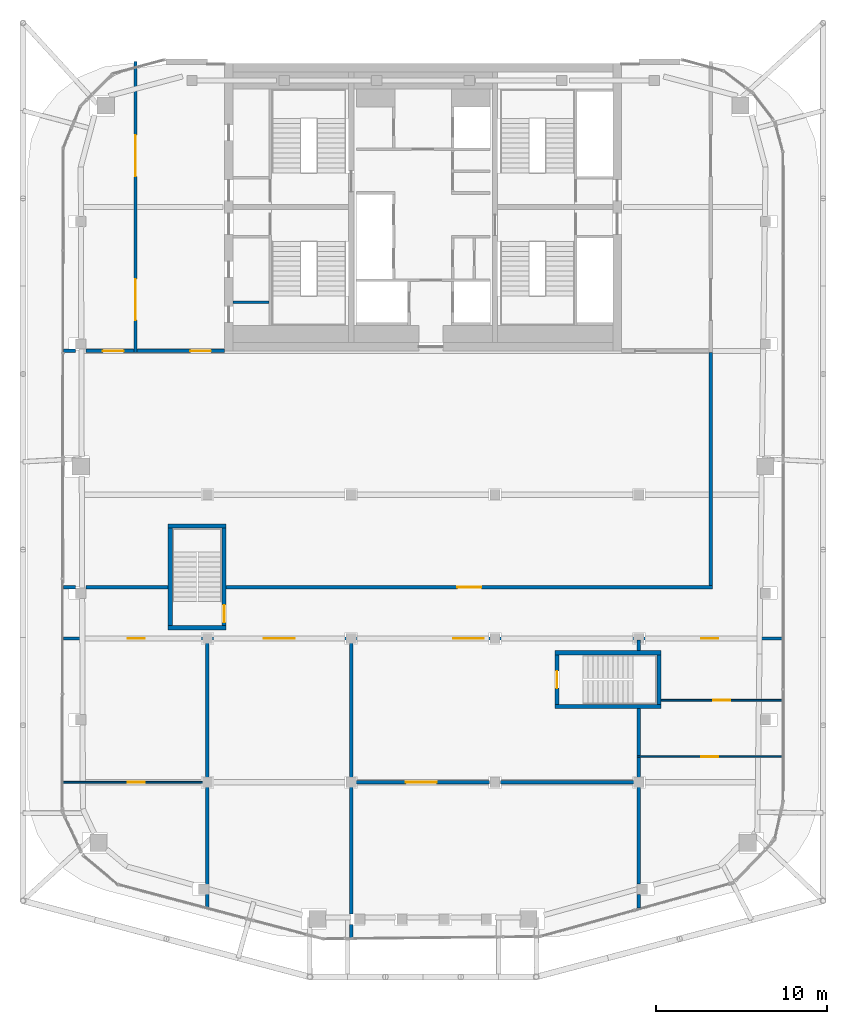
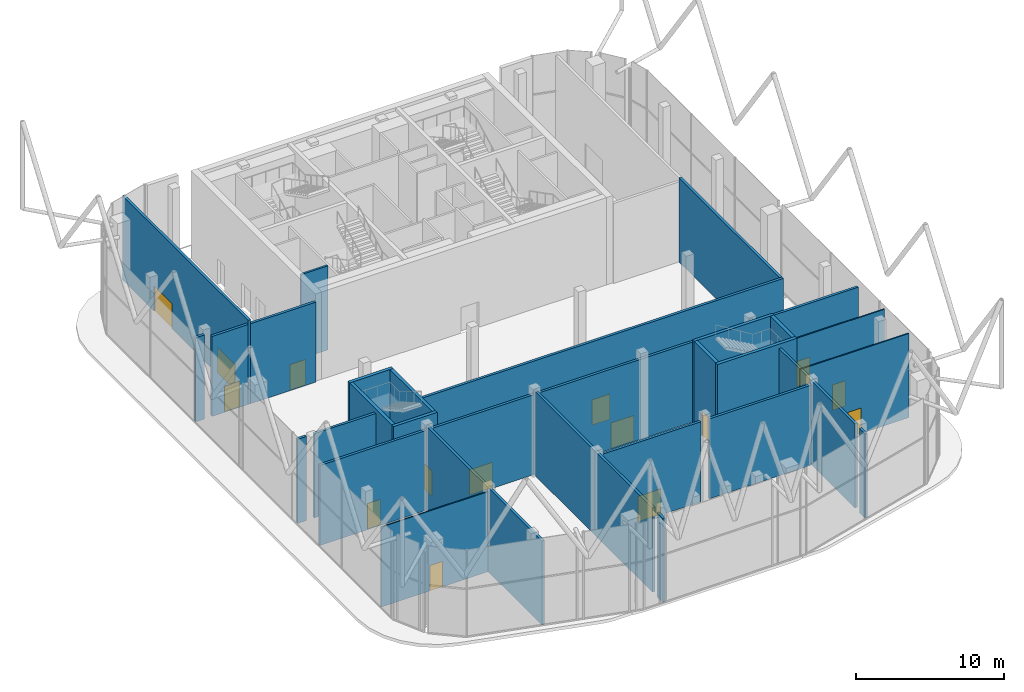
# One storey, part 20 of 25: 29 walls, 15 doors, 15 openings.
"""IFC4 building model written with IfcOpenShell, lengths in metres."""

import ifcopenshell
import ifcopenshell.guid

model = None  # the IFC model being written
_history = None  # IfcOwnerHistory: only IFC2X3 demands one
_inside = {}  # id of a spatial element -> (the spatial element, [elements in it])
_under = {}  # id of a project, library or spatial element -> (it, [spatial elements below it])
_declared = {}  # id of a project -> (the project, [libraries it declares])
_typed = {}  # id of a type object -> (the type object, [elements of that type])
_made_of = {}  # id of a material, layer set ... -> (it, [elements and type objects made of it])


def new_model(schema):
    """Start an empty IFC model of exactly this schema.

    Asked for "IFC4X3", IfcOpenShell would pick the latest addendum, in which some entities
    have other attributes; the version numbers below select the first issue.
    IFC2X3 requires an IfcOwnerHistory on every rooted entity: one is made here for all.
    """
    global model, _history
    if schema == "IFC4X3":
        model = ifcopenshell.file(schema_version=(4, 3, 0, 0))
    else:
        model = ifcopenshell.file(schema=schema)
    _inside.clear()
    _under.clear()
    _declared.clear()
    _typed.clear()
    _made_of.clear()
    _history = None
    if model.schema == "IFC2X3":
        org = make("IfcOrganization", Name="unknown")
        user = make(
            "IfcPersonAndOrganization",
            ThePerson=make("IfcPerson", FamilyName="unknown"),
            TheOrganization=org,
        )
        app = make(
            "IfcApplication",
            ApplicationDeveloper=org,
            Version="unknown",
            ApplicationFullName="unknown",
            ApplicationIdentifier="unknown",
        )
        _history = make(
            "IfcOwnerHistory",
            OwningUser=user,
            OwningApplication=app,
            ChangeAction="ADDED",
            CreationDate=0,
        )
    return model


def make(cls, **values):
    """One entity of the class cls with the attributes given. An attribute that is None is left unset."""
    return model.create_entity(
        cls, **{name: value for name, value in values.items() if value is not None}
    )


def rooted(cls, **values):
    """An entity with a GlobalId (a new one), such as an element, a storey or a relation."""
    return make(cls, GlobalId=ifcopenshell.guid.new(), OwnerHistory=_history, **values)


def si_unit(unit_type, name, prefix=None):
    """IfcSIUnit, for example si_unit("LENGTHUNIT", "METRE", prefix="MILLI")."""
    return make("IfcSIUnit", UnitType=unit_type, Prefix=prefix, Name=name)


def assignment(units):
    """IfcUnitAssignment: the units of a project."""
    return None if units is None else make("IfcUnitAssignment", Units=units)


def point(xyz):
    """IfcCartesianPoint."""
    return None if xyz is None else make("IfcCartesianPoint", Coordinates=xyz)


def direction(xyz):
    """IfcDirection."""
    return None if xyz is None else make("IfcDirection", DirectionRatios=xyz)


def frame(location, z_axis=None, x_axis=None):
    """IfcAxis2Placement3D, a coordinate frame: its origin and axes. An axis left out is left unset."""
    return make(
        "IfcAxis2Placement3D",
        Location=point(location),
        Axis=direction(z_axis),
        RefDirection=direction(x_axis),
    )


def frame_2d(location, x_axis=None):
    """IfcAxis2Placement2D, a coordinate frame in the plane: its origin and x axis."""
    return make(
        "IfcAxis2Placement2D", Location=point(location), RefDirection=direction(x_axis)
    )


def origin():
    """The frame at (0, 0, 0) with its axes left unset."""
    return frame((0.0, 0.0, 0.0))


def place(relative_to, where):
    """IfcLocalPlacement: puts the frame where relative to a parent placement (None: the world)."""
    return make(
        "IfcLocalPlacement", PlacementRelTo=relative_to, RelativePlacement=where
    )


def context(
    kind, dimensions, precision=None, world=None, true_north=None, identifier=None
):
    """IfcGeometricRepresentationContext, for example the 3D "Model" context."""
    return make(
        "IfcGeometricRepresentationContext",
        ContextIdentifier=identifier,
        ContextType=kind,
        CoordinateSpaceDimension=dimensions,
        Precision=precision,
        WorldCoordinateSystem=world,
        TrueNorth=true_north,
    )


def subcontext(parent, identifier, kind, view, scale=None):
    """IfcGeometricRepresentationSubContext, for example "Body" below "Model"."""
    return make(
        "IfcGeometricRepresentationSubContext",
        ContextIdentifier=identifier,
        ContextType=kind,
        ParentContext=parent,
        TargetScale=scale,
        TargetView=view,
    )


def project(units=None, contexts=None):
    """IfcProject with its units and contexts."""
    return rooted(
        "IfcProject",
        Name="project",
        RepresentationContexts=contexts,
        UnitsInContext=assignment(units),
    )


def spatial(cls, under=None, at=None, **own):
    """A site, building, storey or space (cls), placed at a placement, below another one or the project."""
    s = rooted(cls, ObjectPlacement=at, **own)
    if under is not None:
        _under.setdefault(under.id(), (under, []))[1].append(s)
    return s


def profile(cls, at=None, kind="AREA", **sizes):
    """A parametric profile (cls). Its sizes go by their IFC names, for example OverallWidth=200.0."""
    return make(cls, ProfileType=kind, Position=at, **sizes)


def rectangle(**sizes):
    """IfcRectangleProfileDef."""
    return profile("IfcRectangleProfileDef", **sizes)


def extrude(swept, where, along, depth):
    """IfcExtrudedAreaSolid: the profile swept, set in the frame where, extruded along a direction by depth."""
    return make(
        "IfcExtrudedAreaSolid",
        SweptArea=swept,
        Position=where,
        ExtrudedDirection=direction(along),
        Depth=depth,
    )


def shape(context_of_items, identifier, shape_type, items):
    """IfcShapeRepresentation: the items that make up one representation, for example the "Body"."""
    return make(
        "IfcShapeRepresentation",
        ContextOfItems=context_of_items,
        RepresentationIdentifier=identifier,
        RepresentationType=shape_type,
        Items=items,
    )


def material(Name=None, Category=None):
    """IfcMaterial."""
    return make("IfcMaterial", Name=Name, Category=Category)


def layer(
    of_material, thickness, ventilated=None, Name=None, Category=None, Priority=None
):
    """IfcMaterialLayer: one layer of a wall or slab, of a material (None: an air gap)."""
    return make(
        "IfcMaterialLayer",
        Material=of_material,
        LayerThickness=thickness,
        IsVentilated=ventilated,
        Name=Name,
        Category=Category,
        Priority=Priority,
    )


def layer_set(layers, Name=None):
    """IfcMaterialLayerSet."""
    return make("IfcMaterialLayerSet", MaterialLayers=layers, LayerSetName=Name)


def made_of(thing, what):
    """Note that an element or type object is made of a material, layer set ...; save() writes the relation."""
    if what is not None:
        _made_of.setdefault(what.id(), (what, []))[1].append(thing)
    return thing


def type_object(cls, material=None, **own):
    """A type object (cls), such as IfcWallType, which elements share."""
    return made_of(rooted(cls, **own), material)


def element(
    cls,
    number,
    at=None,
    inside=None,
    cuts=None,
    type_object=None,
    material=None,
    context=None,
    identifier="Body",
    shape_type=None,
    held_by="IfcProductDefinitionShape",
    body=None,
    shapes=None,
    **own,
):
    """One element of the class cls, such as IfcWall. Its Tag is "e" and its number.

    at: its placement. inside: the storey or other place that contains it. cuts: it is an
    opening in that element (IfcRelVoidsElement). A single representation is given by context,
    identifier, shape_type and body (its items); several are given by shapes. held_by: the class
    of the entity that holds the representations. save() writes the other relations.
    """
    e = rooted(cls, Tag="e%d" % number, ObjectPlacement=at, **own)
    if body is not None:
        shapes = [shape(context, identifier, shape_type, body)]
    if shapes is not None:
        e.Representation = make(held_by, Representations=shapes)
    if inside is not None:
        _inside.setdefault(inside.id(), (inside, []))[1].append(e)
    if cuts is not None:
        rooted(
            "IfcRelVoidsElement", RelatingBuildingElement=cuts, RelatedOpeningElement=e
        )
    if type_object is not None:
        _typed.setdefault(type_object.id(), (type_object, []))[1].append(e)
    return made_of(e, material)


def fill(opening, filler):
    """IfcRelFillsElement: the door or window that sits in an opening."""
    return rooted(
        "IfcRelFillsElement",
        RelatingOpeningElement=opening,
        RelatedBuildingElement=filler,
    )


def aggregate(whole, parts):
    """IfcRelAggregates: a whole, such as a stair, and the parts it consists of."""
    return rooted("IfcRelAggregates", RelatingObject=whole, RelatedObjects=parts)


def save(model, path):
    """Write the relations noted so far, then the file.

    IfcRelAggregates (storeys below a building ...), IfcRelContainedInSpatialStructure (elements
    in a storey), IfcRelDefinesByType, IfcRelAssociatesMaterial and IfcRelDeclares: one each for
    every whole, place, type object, material and project.
    """
    for whole, parts in _under.values():
        aggregate(whole, parts)
    for where, things in _inside.values():
        rooted(
            "IfcRelContainedInSpatialStructure",
            RelatedElements=things,
            RelatingStructure=where,
        )
    for kind, things in _typed.values():
        rooted("IfcRelDefinesByType", RelatedObjects=things, RelatingType=kind)
    for what, things in _made_of.values():
        rooted("IfcRelAssociatesMaterial", RelatedObjects=things, RelatingMaterial=what)
    for by, libraries in _declared.values():
        rooted("IfcRelDeclares", RelatingContext=by, RelatedDefinitions=libraries)
    model.write(path)


model = new_model("IFC4")

# Units and contexts
model_context = context("Model", 3, precision=1e-05, world=origin(), true_north=direction((0.0, 1.0)))
body_context = subcontext(model_context, "Body", "Model", "MODEL_VIEW")
ifc_project = project(units=[si_unit("LENGTHUNIT", "METRE"), si_unit("AREAUNIT", "SQUARE_METRE"), si_unit("VOLUMEUNIT", "CUBIC_METRE"), si_unit("PLANEANGLEUNIT", "RADIAN"), si_unit("MASSUNIT", "GRAM", prefix="KILO")], contexts=[model_context])

# Site, building, storey
site_placement = place(None, origin())
site = spatial("IfcSite", under=ifc_project, at=site_placement, CompositionType="ELEMENT")
building_placement = place(site_placement, origin())
building = spatial("IfcBuilding", under=site, at=building_placement, Name="Marenta Gate Hotel Tower", CompositionType="ELEMENT")
storey_placement = place(building_placement, frame((0.0, 0.0, 281.300048828125)))
storey = spatial("IfcBuildingStorey", under=building, at=storey_placement, Name="L65", CompositionType="ELEMENT", Elevation=281.300048828125)

# Wall, openings, doors
ifc_material_1 = material(Name="Concrete blockwork", Category="masonry")
ifc_layer_1 = layer(ifc_material_1, 0.199951171875)
ifc_layer_set_1 = layer_set([ifc_layer_1], Name="Concrete blockwork")
wall_type_1 = type_object("IfcWallType", Name="Core boundary wall 200 REI 180", PredefinedType="PARTITIONING", material=ifc_layer_set_1)
wall_1_placement = place(storey_placement, frame((-16.800048828125, -0.10009765625, 0.0), z_axis=(0.0, 0.0, 1.0), x_axis=(0.0, 1.0, 0.0)))
wall_1 = element("IfcWall", 1, at=wall_1_placement, inside=storey, type_object=wall_type_1, Name="L65-CP-BW-W", PredefinedType="PARTITIONING", context=body_context, shape_type="SweptSolid", body=[
    extrude(rectangle(XDim=17.0, YDim=0.199951171875, at=frame_2d((8.5, 0.0))), origin(), (0.0, 0.0, 1.0), 6.93994140625),
])
opening_1_placement = place(wall_1_placement, frame((1.89990234375, 0.0, 0.0)))
opening_1 = element("IfcOpeningElement", 2, at=opening_1_placement, cuts=wall_1, Name="Opening ED-Wa-A", PredefinedType="OPENING", context=body_context, shape_type="SweptSolid", body=[
    extrude(rectangle(XDim=2.39990234375, YDim=2.10009765625, at=frame_2d((1.199951171875, 1.050048828125))), frame((0.0, 0.10009765625, 0.0), z_axis=(0.0, -1.0, 0.0), x_axis=(1.0, 0.0, 0.0)), (0.0, 0.0, 1.0), 0.199951171875),
])
opening_2_placement = place(wall_1_placement, frame((10.300048828125, 0.0, 0.0)))
opening_2 = element("IfcOpeningElement", 3, at=opening_2_placement, cuts=wall_1, Name="Opening ED-Wb-A", PredefinedType="OPENING", context=body_context, shape_type="SweptSolid", body=[
    extrude(rectangle(XDim=2.39990234375, YDim=2.10009765625, at=frame_2d((1.199951171875, 1.050048828125))), frame((0.0, 0.10009765625, 0.0), z_axis=(0.0, -1.0, 0.0), x_axis=(1.0, 0.0, 0.0)), (0.0, 0.0, 1.0), 0.199951171875),
])
ifc_material_2 = material(Name="Steel", Category="steel")
door_type_1 = type_object("IfcDoorType", Name="Core lobby entrance door 2400x2100 EI 60", OperationType="DOUBLE_DOOR_SINGLE_SWING", PredefinedType="DOOR", material=ifc_material_2)
door_1_placement = place(opening_1_placement, origin())
door_1 = element("IfcDoor", 4, at=door_1_placement, inside=storey, type_object=door_type_1, Name="ED-Wa-A", OperationType="DOUBLE_DOOR_SINGLE_SWING", OverallHeight=2.10009765625, OverallWidth=2.39990234375, PredefinedType="DOOR", context=body_context, shape_type="SweptSolid", body=[
    extrude(rectangle(XDim=2.39990234375, YDim=2.10009765625, at=frame_2d((1.199951171875, 1.050048828125))), frame((0.0, 0.02490234375, 0.0), z_axis=(0.0, -1.0, 0.0), x_axis=(1.0, 0.0, 0.0)), (0.0, 0.0, 1.0), 0.050048828125),
])
fill(opening_1, door_1)
door_2_placement = place(opening_2_placement, origin())
door_2 = element("IfcDoor", 5, at=door_2_placement, inside=storey, type_object=door_type_1, Name="ED-Wb-A", OperationType="DOUBLE_DOOR_SINGLE_SWING", OverallHeight=2.10009765625, OverallWidth=2.39990234375, PredefinedType="DOOR", context=body_context, shape_type="SweptSolid", body=[
    extrude(rectangle(XDim=2.39990234375, YDim=2.10009765625, at=frame_2d((1.199951171875, 1.050048828125))), frame((0.0, 0.02490234375, 0.0), z_axis=(0.0, -1.0, 0.0), x_axis=(1.0, 0.0, 0.0)), (0.0, 0.0, 1.0), 0.050048828125),
])
fill(opening_2, door_2)

# Wall, opening, door
wall_2_placement = place(storey_placement, frame((-16.699951171875, 0.0, 0.0), z_axis=(0.0, 0.0, 1.0), x_axis=(1.0, 0.0, 0.0)))
wall_2 = element("IfcWall", 6, at=wall_2_placement, inside=storey, type_object=wall_type_1, Name="L65-CP-EW-WS", PredefinedType="PARTITIONING", context=body_context, shape_type="SweptSolid", body=[
    extrude(rectangle(XDim=5.099853515625, YDim=0.199951171875, at=frame_2d((2.5498046875, 0.0))), origin(), (0.0, 0.0, 1.0), 6.599853515625),
])
opening_3_placement = place(wall_2_placement, frame((3.10009765625, 0.0, 0.0)))
opening_3 = element("IfcOpeningElement", 7, at=opening_3_placement, cuts=wall_2, Name="Opening RFD-WS", PredefinedType="OPENING", context=body_context, shape_type="SweptSolid", body=[
    extrude(rectangle(XDim=1.199951171875, YDim=2.10009765625, at=frame_2d((0.60009765625, 1.050048828125))), frame((0.0, 0.10009765625, 0.0), z_axis=(0.0, -1.0, 0.0), x_axis=(1.0, 0.0, 0.0)), (0.0, 0.0, 1.0), 0.199951171875),
])
ifc_material_3 = material(Name="Steel", Category="steel")
door_type_2 = type_object("IfcDoorType", Name="Core lobby door 1200x2100 FD60", OperationType="SINGLE_SWING_LEFT", PredefinedType="DOOR", material=ifc_material_3)
door_3_placement = place(opening_3_placement, origin())
door_3 = element("IfcDoor", 8, at=door_3_placement, inside=storey, type_object=door_type_2, Name="RFD-WS", OperationType="SINGLE_SWING_LEFT", OverallHeight=2.10009765625, OverallWidth=1.199951171875, PredefinedType="DOOR", context=body_context, shape_type="SweptSolid", body=[
    extrude(rectangle(XDim=1.199951171875, YDim=2.10009765625, at=frame_2d((0.60009765625, 1.050048828125))), frame((0.0, 0.02490234375, 0.0), z_axis=(0.0, -1.0, 0.0), x_axis=(1.0, 0.0, 0.0)), (0.0, 0.0, 1.0), 0.050048828125),
])
fill(opening_3, door_3)

# Walls
ifc_material_4 = material(Name="Concrete blockwork", Category="masonry")
ifc_layer_2 = layer(ifc_material_4, 0.14990234375)
ifc_layer_set_2 = layer_set([ifc_layer_2], Name="Concrete blockwork")
wall_type_2 = type_object("IfcWallType", Name="Core room partition 150 REI 180", PredefinedType="PARTITIONING", material=ifc_layer_set_2)
wall_3_placement = place(storey_placement, frame((-11.10009765625, 2.85009765625, 0.0), z_axis=(0.0, 0.0, 1.0), x_axis=(1.0, 0.0, 0.0)))
element("IfcWall", 9, at=wall_3_placement, inside=storey, type_object=wall_type_2, Name="L65-CP-RW-WS-1", PredefinedType="PARTITIONING", context=body_context, shape_type="SweptSolid", body=[
    extrude(rectangle(XDim=2.10009765625, YDim=0.14990234375, at=frame_2d((1.050048828125, 0.0))), origin(), (0.0, 0.0, 1.0), 6.93994140625),
])
ifc_material_5 = material(Name="Concrete C40", Category="concrete")
ifc_layer_3 = layer(ifc_material_5, 0.25)
ifc_layer_set_3 = layer_set([ifc_layer_3], Name="Concrete C40")
wall_type_3 = type_object("IfcWallType", Name="Remote stair enclosure wall 250 REI 180", PredefinedType="SHEAR", material=ifc_layer_set_3)
for number, where, z_axis, x_axis, name in (
    (10, (7.699951171875, -20.77490234375, 0.099853515625), (0.0, 0.0, 1.0), (1.0, 0.0, 0.0), "L65-RS-Z4-1-W1"),
    (11, (7.699951171875, -17.625, 0.099853515625), (0.0, 0.0, 1.0), (1.0, 0.0, 0.0), "L65-RS-Z4-1-W2"),
):
    element("IfcWall", number, at=place(storey_placement, frame(where, z_axis=z_axis, x_axis=x_axis)), inside=storey, type_object=wall_type_3, Name=name, PredefinedType="SHEAR", context=body_context, shape_type="SweptSolid", body=[
        extrude(rectangle(XDim=6.199951171875, YDim=0.25, at=frame_2d((3.10009765625, 0.0))), origin(), (0.0, 0.0, 1.0), 7.2001953125),
    ])

# Wall, opening, door
wall_4_placement = place(storey_placement, frame((7.824951171875, -20.64990234375, 0.099853515625), z_axis=(0.0, 0.0, 1.0), x_axis=(0.0, 1.0, 0.0)))
wall_4 = element("IfcWall", 12, at=wall_4_placement, inside=storey, type_object=wall_type_3, Name="L65-RS-Z4-1-W3", PredefinedType="SHEAR", context=body_context, shape_type="SweptSolid", body=[
    extrude(rectangle(XDim=2.89990234375, YDim=0.25, at=frame_2d((1.449951171875, 0.0))), origin(), (0.0, 0.0, 1.0), 7.2001953125),
])
opening_4_placement = place(wall_4_placement, frame((0.949951171875, 0.0, 0.0)))
opening_4 = element("IfcOpeningElement", 13, at=opening_4_placement, cuts=wall_4, Name="Opening VD", PredefinedType="OPENING", context=body_context, shape_type="SweptSolid", body=[
    extrude(rectangle(XDim=1.0, YDim=2.10009765625, at=frame_2d((0.5, 1.050048828125))), frame((0.0, 0.125, 0.0), z_axis=(0.0, -1.0, 0.0), x_axis=(1.0, 0.0, 0.0)), (0.0, 0.0, 1.0), 0.25),
])
ifc_material_6 = material(Name="Steel", Category="steel")
door_type_3 = type_object("IfcDoorType", Name="Stair vestibule door 1000x2100 FD60", OperationType="SINGLE_SWING_LEFT", PredefinedType="DOOR", material=ifc_material_6)
door_4_placement = place(opening_4_placement, origin())
door_4 = element("IfcDoor", 14, at=door_4_placement, inside=storey, type_object=door_type_3, Name="VD", OperationType="SINGLE_SWING_LEFT", OverallHeight=2.10009765625, OverallWidth=1.0, PredefinedType="DOOR", context=body_context, shape_type="SweptSolid", body=[
    extrude(rectangle(XDim=1.0, YDim=2.10009765625, at=frame_2d((0.5, 1.050048828125))), frame((0.0, 0.02490234375, 0.0), z_axis=(0.0, -1.0, 0.0), x_axis=(1.0, 0.0, 0.0)), (0.0, 0.0, 1.0), 0.050048828125),
])
fill(opening_4, door_4)

# Walls
wall_5_placement = place(storey_placement, frame((13.77490234375, -20.64990234375, 0.099853515625), z_axis=(0.0, 0.0, 1.0), x_axis=(0.0, 1.0, 0.0)))
element("IfcWall", 15, at=wall_5_placement, inside=storey, type_object=wall_type_3, Name="L65-RS-Z4-1-W4", PredefinedType="SHEAR", context=body_context, shape_type="SweptSolid", body=[
    extrude(rectangle(XDim=2.89990234375, YDim=0.25, at=frame_2d((1.449951171875, 0.0))), origin(), (0.0, 0.0, 1.0), 7.2001953125),
])
for number, where, z_axis, x_axis, name in (
    (16, (-14.89990234375, -16.175048828125, 0.099853515625), (0.0, 0.0, 1.0), (1.0, 0.0, 0.0), "L65-RS-Z4-2-W1"),
    (17, (-14.89990234375, -10.22509765625, 0.099853515625), (0.0, 0.0, 1.0), (1.0, 0.0, 0.0), "L65-RS-Z4-2-W2"),
):
    element("IfcWall", number, at=place(storey_placement, frame(where, z_axis=z_axis, x_axis=x_axis)), inside=storey, type_object=wall_type_3, Name=name, PredefinedType="SHEAR", context=body_context, shape_type="SweptSolid", body=[
        extrude(rectangle(XDim=3.39990234375, YDim=0.25, at=frame_2d((1.699951171875, 0.0))), origin(), (0.0, 0.0, 1.0), 7.2001953125),
    ])
wall_6_placement = place(storey_placement, frame((-14.77490234375, -16.050048828125, 0.099853515625), z_axis=(0.0, 0.0, 1.0), x_axis=(0.0, 1.0, 0.0)))
element("IfcWall", 18, at=wall_6_placement, inside=storey, type_object=wall_type_3, Name="L65-RS-Z4-2-W3", PredefinedType="SHEAR", context=body_context, shape_type="SweptSolid", body=[
    extrude(rectangle(XDim=5.699951171875, YDim=0.25, at=frame_2d((2.85009765625, 0.0))), origin(), (0.0, 0.0, 1.0), 7.2001953125),
])

# Wall, opening, door
wall_7_placement = place(storey_placement, frame((-11.625, -16.050048828125, 0.099853515625), z_axis=(0.0, 0.0, 1.0), x_axis=(0.0, 1.0, 0.0)))
wall_7 = element("IfcWall", 19, at=wall_7_placement, inside=storey, type_object=wall_type_3, Name="L65-RS-Z4-2-W4", PredefinedType="SHEAR", context=body_context, shape_type="SweptSolid", body=[
    extrude(rectangle(XDim=5.699951171875, YDim=0.25, at=frame_2d((2.85009765625, 0.0))), origin(), (0.0, 0.0, 1.0), 7.2001953125),
])
opening_5_placement = place(wall_7_placement, frame((0.199951171875, 0.0, 0.0)))
opening_5 = element("IfcOpeningElement", 20, at=opening_5_placement, cuts=wall_7, Name="Opening VD", PredefinedType="OPENING", context=body_context, shape_type="SweptSolid", body=[
    extrude(rectangle(XDim=1.0, YDim=2.10009765625, at=frame_2d((0.5, 1.050048828125))), frame((0.0, 0.125, 0.0), z_axis=(0.0, -1.0, 0.0), x_axis=(1.0, 0.0, 0.0)), (0.0, 0.0, 1.0), 0.25),
])
door_5_placement = place(opening_5_placement, origin())
door_5 = element("IfcDoor", 21, at=door_5_placement, inside=storey, type_object=door_type_3, Name="VD", OperationType="SINGLE_SWING_LEFT", OverallHeight=2.10009765625, OverallWidth=1.0, PredefinedType="DOOR", context=body_context, shape_type="SweptSolid", body=[
    extrude(rectangle(XDim=1.0, YDim=2.10009765625, at=frame_2d((0.5, 1.050048828125))), frame((0.0, 0.02490234375, 0.0), z_axis=(0.0, -1.0, 0.0), x_axis=(1.0, 0.0, 0.0)), (0.0, 0.0, 1.0), 0.050048828125),
])
fill(opening_5, door_5)

# Wall, openings, doors
ifc_material_7 = material(Name="Gypsum board on steel stud", Category="steel")
ifc_layer_4 = layer(ifc_material_7, 0.199951171875)
ifc_layer_set_4 = layer_set([ifc_layer_4], Name="Gypsum board on steel stud")
wall_type_4 = type_object("IfcWallType", Name="Room corridor wall 200 EI 60", PredefinedType="PARTITIONING", material=ifc_layer_set_4)
wall_8_placement = place(storey_placement, frame((-21.0, -16.800048828125, 0.0), z_axis=(0.0, 0.0, 1.0), x_axis=(1.0, 0.0, 0.0)))
wall_8 = element("IfcWall", 22, at=wall_8_placement, inside=storey, type_object=wall_type_4, Name="L65-PTN-W007", PredefinedType="PARTITIONING", context=body_context, shape_type="SweptSolid", body=[
    extrude(rectangle(XDim=42.0, YDim=0.199951171875, at=frame_2d((21.0, 0.0))), origin(), (0.0, 0.0, 1.0), 6.599853515625),
])
opening_6_placement = place(wall_8_placement, frame((3.75, 0.0, 0.0)))
opening_6 = element("IfcOpeningElement", 23, at=opening_6_placement, cuts=wall_8, Name="Opening S12-03", PredefinedType="OPENING", context=body_context, shape_type="SweptSolid", body=[
    extrude(rectangle(XDim=1.0, YDim=2.10009765625, at=frame_2d((0.5, 1.050048828125))), frame((0.0, 0.10009765625, 0.0), z_axis=(0.0, -1.0, 0.0), x_axis=(1.0, 0.0, 0.0)), (0.0, 0.0, 1.0), 0.199951171875),
])
opening_7_placement = place(wall_8_placement, frame((11.699951171875, 0.0, 0.0)))
opening_7 = element("IfcOpeningElement", 24, at=opening_7_placement, cuts=wall_8, Name="Opening S12-05", PredefinedType="OPENING", context=body_context, shape_type="SweptSolid", body=[
    extrude(rectangle(XDim=1.800048828125, YDim=2.10009765625, at=frame_2d((0.89990234375, 1.050048828125))), frame((0.0, 0.10009765625, 0.0), z_axis=(0.0, -1.0, 0.0), x_axis=(1.0, 0.0, 0.0)), (0.0, 0.0, 1.0), 0.199951171875),
])
opening_8_placement = place(wall_8_placement, frame((22.75, 0.0, 0.0)))
opening_8 = element("IfcOpeningElement", 25, at=opening_8_placement, cuts=wall_8, Name="Opening S12-06", PredefinedType="OPENING", context=body_context, shape_type="SweptSolid", body=[
    extrude(rectangle(XDim=1.800048828125, YDim=2.10009765625, at=frame_2d((0.89990234375, 1.050048828125))), frame((0.0, 0.10009765625, 0.0), z_axis=(0.0, -1.0, 0.0), x_axis=(1.0, 0.0, 0.0)), (0.0, 0.0, 1.0), 0.199951171875),
])
opening_9_placement = place(wall_8_placement, frame((37.25, 0.0, 0.0)))
opening_9 = element("IfcOpeningElement", 26, at=opening_9_placement, cuts=wall_8, Name="Opening S12-07", PredefinedType="OPENING", context=body_context, shape_type="SweptSolid", body=[
    extrude(rectangle(XDim=1.0, YDim=2.10009765625, at=frame_2d((0.5, 1.050048828125))), frame((0.0, 0.10009765625, 0.0), z_axis=(0.0, -1.0, 0.0), x_axis=(1.0, 0.0, 0.0)), (0.0, 0.0, 1.0), 0.199951171875),
])
ifc_material_8 = material(Name="Timber door leaf", Category="wood")
door_type_4 = type_object("IfcDoorType", Name="Room amenity door 1000x2100 EI 30", OperationType="NOTDEFINED", PredefinedType="DOOR", material=ifc_material_8)
door_6_placement = place(opening_6_placement, origin())
door_6 = element("IfcDoor", 27, at=door_6_placement, inside=storey, type_object=door_type_4, Name="L65-PD-D003", OperationType="SINGLE_SWING_LEFT", OverallHeight=2.10009765625, OverallWidth=1.0, PredefinedType="DOOR", context=body_context, shape_type="SweptSolid", body=[
    extrude(rectangle(XDim=1.0, YDim=2.10009765625, at=frame_2d((0.5, 1.050048828125))), frame((0.0, 0.02490234375, 0.0), z_axis=(0.0, -1.0, 0.0), x_axis=(1.0, 0.0, 0.0)), (0.0, 0.0, 1.0), 0.050048828125),
])
fill(opening_6, door_6)
ifc_material_9 = material(Name="Timber door leaf", Category="wood")
door_type_5 = type_object("IfcDoorType", Name="Room amenity door 1800x2100 EI 30", OperationType="DOUBLE_DOOR_SINGLE_SWING", PredefinedType="DOOR", material=ifc_material_9)
door_7_placement = place(opening_7_placement, origin())
door_7 = element("IfcDoor", 28, at=door_7_placement, inside=storey, type_object=door_type_5, Name="L65-PD-D005", OperationType="DOUBLE_DOOR_SINGLE_SWING", OverallHeight=2.10009765625, OverallWidth=1.800048828125, PredefinedType="DOOR", context=body_context, shape_type="SweptSolid", body=[
    extrude(rectangle(XDim=1.800048828125, YDim=2.10009765625, at=frame_2d((0.89990234375, 1.050048828125))), frame((0.0, 0.02490234375, 0.0), z_axis=(0.0, -1.0, 0.0), x_axis=(1.0, 0.0, 0.0)), (0.0, 0.0, 1.0), 0.050048828125),
])
fill(opening_7, door_7)
door_8_placement = place(opening_8_placement, origin())
door_8 = element("IfcDoor", 29, at=door_8_placement, inside=storey, type_object=door_type_5, Name="L65-PD-D006", OperationType="DOUBLE_DOOR_SINGLE_SWING", OverallHeight=2.10009765625, OverallWidth=1.800048828125, PredefinedType="DOOR", context=body_context, shape_type="SweptSolid", body=[
    extrude(rectangle(XDim=1.800048828125, YDim=2.10009765625, at=frame_2d((0.89990234375, 1.050048828125))), frame((0.0, 0.02490234375, 0.0), z_axis=(0.0, -1.0, 0.0), x_axis=(1.0, 0.0, 0.0)), (0.0, 0.0, 1.0), 0.050048828125),
])
fill(opening_8, door_8)
ifc_material_10 = material(Name="Timber door leaf", Category="wood")
door_type_6 = type_object("IfcDoorType", Name="Toilet room door 1000x2100 EI 30", OperationType="NOTDEFINED", PredefinedType="DOOR", material=ifc_material_10)
door_9_placement = place(opening_9_placement, origin())
door_9 = element("IfcDoor", 30, at=door_9_placement, inside=storey, type_object=door_type_6, Name="L65-PD-D007", OperationType="SINGLE_SWING_LEFT", OverallHeight=2.10009765625, OverallWidth=1.0, PredefinedType="DOOR", context=body_context, shape_type="SweptSolid", body=[
    extrude(rectangle(XDim=1.0, YDim=2.10009765625, at=frame_2d((0.5, 1.050048828125))), frame((0.0, 0.02490234375, 0.0), z_axis=(0.0, -1.0, 0.0), x_axis=(1.0, 0.0, 0.0)), (0.0, 0.0, 1.0), 0.050048828125),
])
fill(opening_9, door_9)

# Walls
ifc_material_11 = material(Name="Concrete blockwork", Category="masonry")
ifc_layer_5 = layer(ifc_material_11, 0.199951171875)
ifc_layer_set_5 = layer_set([ifc_layer_5], Name="Concrete blockwork")
wall_type_5 = type_object("IfcWallType", Name="Room corridor wall 200 REI 180", PredefinedType="PARTITIONING", material=ifc_layer_set_5)
wall_9_placement = place(storey_placement, frame((16.800048828125, -13.699951171875, 0.0), z_axis=(0.0, 0.0, 1.0), x_axis=(0.0, 1.0, 0.0)))
element("IfcWall", 31, at=wall_9_placement, inside=storey, type_object=wall_type_5, Name="L65-PTN-W006", PredefinedType="PARTITIONING", context=body_context, shape_type="SweptSolid", body=[
    extrude(rectangle(XDim=13.599853515625, YDim=0.199951171875, at=frame_2d((6.7998046875, 0.0))), origin(), (0.0, 0.0, 1.0), 6.93994140625),
])
wall_10_placement = place(storey_placement, frame((-21.0, -13.800048828125, 0.0), z_axis=(0.0, 0.0, 1.0), x_axis=(1.0, 0.0, 0.0)))
element("IfcWall", 32, at=wall_10_placement, inside=storey, type_object=wall_type_5, Name="L65-PTN-W008", PredefinedType="PARTITIONING", context=body_context, shape_type="SweptSolid", body=[
    extrude(rectangle(XDim=0.699951171875, YDim=0.199951171875, at=frame_2d((0.35009765625, 0.0))), origin(), (0.0, 0.0, 1.0), 6.93994140625),
])
wall_11_placement = place(storey_placement, frame((-19.699951171875, -13.800048828125, 0.0), z_axis=(0.0, 0.0, 1.0), x_axis=(1.0, 0.0, 0.0)))
element("IfcWall", 33, at=wall_11_placement, inside=storey, type_object=wall_type_5, Name="L65-PTN-W009", PredefinedType="PARTITIONING", context=body_context, shape_type="SweptSolid", body=[
    extrude(rectangle(XDim=4.800048828125, YDim=0.199951171875, at=frame_2d((2.39990234375, 0.0))), origin(), (0.0, 0.0, 1.0), 6.93994140625),
])

# Wall, opening, door
wall_12_placement = place(storey_placement, frame((-11.5, -13.800048828125, 0.0), z_axis=(0.0, 0.0, 1.0), x_axis=(1.0, 0.0, 0.0)))
wall_12 = element("IfcWall", 34, at=wall_12_placement, inside=storey, type_object=wall_type_5, Name="L65-PTN-W010", PredefinedType="PARTITIONING", context=body_context, shape_type="SweptSolid", body=[
    extrude(rectangle(XDim=28.39990234375, YDim=0.199951171875, at=frame_2d((14.199951171875, 0.0))), origin(), (0.0, 0.0, 1.0), 6.93994140625),
])
opening_10_placement = place(wall_12_placement, frame((13.5, 0.0, 0.0)))
opening_10 = element("IfcOpeningElement", 35, at=opening_10_placement, cuts=wall_12, Name="Opening S12-01", PredefinedType="OPENING", context=body_context, shape_type="SweptSolid", body=[
    extrude(rectangle(XDim=1.39990234375, YDim=2.10009765625, at=frame_2d((0.699951171875, 1.050048828125))), frame((0.0, 0.10009765625, 0.0), z_axis=(0.0, -1.0, 0.0), x_axis=(1.0, 0.0, 0.0)), (0.0, 0.0, 1.0), 0.199951171875),
])
ifc_material_12 = material(Name="Timber door leaf", Category="wood")
door_type_7 = type_object("IfcDoorType", Name="Room amenity door 1400x2100 EI 60", OperationType="DOUBLE_DOOR_SINGLE_SWING", PredefinedType="DOOR", material=ifc_material_12)
door_10_placement = place(opening_10_placement, origin())
door_10 = element("IfcDoor", 36, at=door_10_placement, inside=storey, type_object=door_type_7, Name="L65-PD-D001", OperationType="DOUBLE_DOOR_SINGLE_SWING", OverallHeight=2.10009765625, OverallWidth=1.39990234375, PredefinedType="DOOR", context=body_context, shape_type="SweptSolid", body=[
    extrude(rectangle(XDim=1.39990234375, YDim=2.10009765625, at=frame_2d((0.699951171875, 1.050048828125))), frame((0.0, 0.02490234375, 0.0), z_axis=(0.0, -1.0, 0.0), x_axis=(1.0, 0.0, 0.0)), (0.0, 0.0, 1.0), 0.050048828125),
])
fill(opening_10, door_10)

# Wall
wall_13_placement = place(storey_placement, frame((-21.0, 0.0, 0.0), z_axis=(0.0, 0.0, 1.0), x_axis=(1.0, 0.0, 0.0)))
element("IfcWall", 37, at=wall_13_placement, inside=storey, type_object=wall_type_5, Name="L65-PTN-W014", PredefinedType="PARTITIONING", context=body_context, shape_type="SweptSolid", body=[
    extrude(rectangle(XDim=0.699951171875, YDim=0.199951171875, at=frame_2d((0.35009765625, 0.0))), origin(), (0.0, 0.0, 1.0), 6.93994140625),
])

# Wall, opening, door
wall_14_placement = place(storey_placement, frame((-19.699951171875, 0.0, 0.0), z_axis=(0.0, 0.0, 1.0), x_axis=(1.0, 0.0, 0.0)))
wall_14 = element("IfcWall", 38, at=wall_14_placement, inside=storey, type_object=wall_type_5, Name="L65-PTN-W015", PredefinedType="PARTITIONING", context=body_context, shape_type="SweptSolid", body=[
    extrude(rectangle(XDim=2.800048828125, YDim=0.199951171875, at=frame_2d((1.39990234375, 0.0))), origin(), (0.0, 0.0, 1.0), 6.599853515625),
])
opening_11_placement = place(wall_14_placement, frame((1.0, 0.0, 0.0)))
opening_11 = element("IfcOpeningElement", 39, at=opening_11_placement, cuts=wall_14, Name="Opening S12-02", PredefinedType="OPENING", context=body_context, shape_type="SweptSolid", body=[
    extrude(rectangle(XDim=1.199951171875, YDim=2.10009765625, at=frame_2d((0.60009765625, 1.050048828125))), frame((0.0, 0.10009765625, 0.0), z_axis=(0.0, -1.0, 0.0), x_axis=(1.0, 0.0, 0.0)), (0.0, 0.0, 1.0), 0.199951171875),
])
ifc_material_13 = material(Name="Timber door leaf", Category="wood")
door_type_8 = type_object("IfcDoorType", Name="Room amenity door 1200x2100 EI 60", OperationType="NOTDEFINED", PredefinedType="DOOR", material=ifc_material_13)
door_11_placement = place(opening_11_placement, origin())
door_11 = element("IfcDoor", 40, at=door_11_placement, inside=storey, type_object=door_type_8, Name="L65-PD-D002", OperationType="SINGLE_SWING_LEFT", OverallHeight=2.10009765625, OverallWidth=1.199951171875, PredefinedType="DOOR", context=body_context, shape_type="SweptSolid", body=[
    extrude(rectangle(XDim=1.199951171875, YDim=2.10009765625, at=frame_2d((0.60009765625, 1.050048828125))), frame((0.0, 0.02490234375, 0.0), z_axis=(0.0, -1.0, 0.0), x_axis=(1.0, 0.0, 0.0)), (0.0, 0.0, 1.0), 0.050048828125),
])
fill(opening_11, door_11)

ifc_material_14 = material(Name="Gypsum board on steel stud", Category="steel")
ifc_layer_6 = layer(ifc_material_14, 0.10009765625)
ifc_layer_set_6 = layer_set([ifc_layer_6], Name="Gypsum board on steel stud")
wall_type_6 = type_object("IfcWallType", Name="Room partition 100", PredefinedType="PARTITIONING", material=ifc_layer_set_6)
wall_15_placement = place(storey_placement, frame((-21.050048828125, -25.199951171875, 0.0), z_axis=(0.0, 0.0, 1.0), x_axis=(1.0, 0.0, 0.0)))
wall_15 = element("IfcWall", 41, at=wall_15_placement, inside=storey, type_object=wall_type_6, Name="L65-PTN-W001", PredefinedType="PARTITIONING", context=body_context, shape_type="SweptSolid", body=[
    extrude(rectangle(XDim=8.550048828125, YDim=0.10009765625, at=frame_2d((4.27490234375, 0.0))), origin(), (0.0, 0.0, 1.0), 6.599853515625),
])
opening_12_placement = place(wall_15_placement, frame((3.800048828125, 0.0, 0.0)))
opening_12 = element("IfcOpeningElement", 42, at=opening_12_placement, cuts=wall_15, Name="Opening S12-04", PredefinedType="OPENING", context=body_context, shape_type="SweptSolid", body=[
    extrude(rectangle(XDim=1.0, YDim=2.10009765625, at=frame_2d((0.5, 1.050048828125))), frame((0.0, 0.050048828125, 0.0), z_axis=(0.0, -1.0, 0.0), x_axis=(1.0, 0.0, 0.0)), (0.0, 0.0, 1.0), 0.10009765625),
])
ifc_material_15 = material(Name="Timber door leaf", Category="wood")
door_type_9 = type_object("IfcDoorType", Name="Room inner door 1000x2100", OperationType="NOTDEFINED", PredefinedType="DOOR", material=ifc_material_15)
door_12_placement = place(opening_12_placement, origin())
door_12 = element("IfcDoor", 43, at=door_12_placement, inside=storey, type_object=door_type_9, Name="L65-PD-D004", OperationType="SINGLE_SWING_RIGHT", OverallHeight=2.10009765625, OverallWidth=1.0, PredefinedType="DOOR", context=body_context, shape_type="SweptSolid", body=[
    extrude(rectangle(XDim=1.0, YDim=2.10009765625, at=frame_2d((0.5, 1.050048828125))), frame((0.0, 0.02490234375, 0.0), z_axis=(0.0, -1.0, 0.0), x_axis=(1.0, 0.0, 0.0)), (0.0, 0.0, 1.0), 0.050048828125),
])
fill(opening_12, door_12)

wall_16_placement = place(storey_placement, frame((12.5, -23.699951171875, 0.0), z_axis=(0.0, 0.0, 1.0), x_axis=(1.0, 0.0, 0.0)))
wall_16 = element("IfcWall", 44, at=wall_16_placement, inside=storey, type_object=wall_type_6, Name="L65-PTN-W004", PredefinedType="PARTITIONING", context=body_context, shape_type="SweptSolid", body=[
    extrude(rectangle(XDim=8.5, YDim=0.10009765625, at=frame_2d((4.25, 0.0))), origin(), (0.0, 0.0, 1.0), 6.93994140625),
])
opening_13_placement = place(wall_16_placement, frame((3.75, 0.0, 0.0)))
opening_13 = element("IfcOpeningElement", 45, at=opening_13_placement, cuts=wall_16, Name="Opening S12-09", PredefinedType="OPENING", context=body_context, shape_type="SweptSolid", body=[
    extrude(rectangle(XDim=1.0, YDim=2.10009765625, at=frame_2d((0.5, 1.050048828125))), frame((0.0, 0.050048828125, 0.0), z_axis=(0.0, -1.0, 0.0), x_axis=(1.0, 0.0, 0.0)), (0.0, 0.0, 1.0), 0.10009765625),
])
door_13_placement = place(opening_13_placement, origin())
door_13 = element("IfcDoor", 46, at=door_13_placement, inside=storey, type_object=door_type_9, Name="L65-PD-D009", OperationType="SINGLE_SWING_LEFT", OverallHeight=2.10009765625, OverallWidth=1.0, PredefinedType="DOOR", context=body_context, shape_type="SweptSolid", body=[
    extrude(rectangle(XDim=1.0, YDim=2.10009765625, at=frame_2d((0.5, 1.050048828125))), frame((0.0, 0.02490234375, 0.0), z_axis=(0.0, -1.0, 0.0), x_axis=(1.0, 0.0, 0.0)), (0.0, 0.0, 1.0), 0.050048828125),
])
fill(opening_13, door_13)

wall_17_placement = place(storey_placement, frame((13.89990234375, -20.39990234375, 0.0), z_axis=(0.0, 0.0, 1.0), x_axis=(1.0, 0.0, 0.0)))
wall_17 = element("IfcWall", 47, at=wall_17_placement, inside=storey, type_object=wall_type_6, Name="L65-PTN-W005", PredefinedType="PARTITIONING", context=body_context, shape_type="SweptSolid", body=[
    extrude(rectangle(XDim=7.10009765625, YDim=0.10009765625, at=frame_2d((3.550048828125, 0.0))), origin(), (0.0, 0.0, 1.0), 6.93994140625),
])
opening_14_placement = place(wall_17_placement, frame((3.050048828125, 0.0, 0.0)))
opening_14 = element("IfcOpeningElement", 48, at=opening_14_placement, cuts=wall_17, Name="Opening S12-08", PredefinedType="OPENING", context=body_context, shape_type="SweptSolid", body=[
    extrude(rectangle(XDim=1.0, YDim=2.10009765625, at=frame_2d((0.5, 1.050048828125))), frame((0.0, 0.050048828125, 0.0), z_axis=(0.0, -1.0, 0.0), x_axis=(1.0, 0.0, 0.0)), (0.0, 0.0, 1.0), 0.10009765625),
])
door_14_placement = place(opening_14_placement, origin())
door_14 = element("IfcDoor", 49, at=door_14_placement, inside=storey, type_object=door_type_9, Name="L65-PD-D008", OperationType="SINGLE_SWING_LEFT", OverallHeight=2.10009765625, OverallWidth=1.0, PredefinedType="DOOR", context=body_context, shape_type="SweptSolid", body=[
    extrude(rectangle(XDim=1.0, YDim=2.10009765625, at=frame_2d((0.5, 1.050048828125))), frame((0.0, 0.02490234375, 0.0), z_axis=(0.0, -1.0, 0.0), x_axis=(1.0, 0.0, 0.0)), (0.0, 0.0, 1.0), 0.050048828125),
])
fill(opening_14, door_14)

ifc_material_16 = material(Name="Gypsum board on steel stud", Category="steel")
ifc_layer_7 = layer(ifc_material_16, 0.199951171875)
ifc_layer_set_7 = layer_set([ifc_layer_7], Name="Gypsum board on steel stud")
wall_type_7 = type_object("IfcWallType", Name="Room party wall 200 EI 60", PredefinedType="PARTITIONING", material=ifc_layer_set_7)
wall_18_placement = place(storey_placement, frame((-4.10009765625, -25.199951171875, 0.0), z_axis=(0.0, 0.0, 1.0), x_axis=(1.0, 0.0, 0.0)))
wall_18 = element("IfcWall", 50, at=wall_18_placement, inside=storey, type_object=wall_type_7, Name="L65-PTN-W002", PredefinedType="PARTITIONING", context=body_context, shape_type="SweptSolid", body=[
    extrude(rectangle(XDim=7.97998046875, YDim=0.199951171875, at=frame_2d((3.989990234375, 0.0))), origin(), (0.0, 0.0, 1.0), 6.599853515625),
])
opening_15_placement = place(wall_18_placement, frame((3.090087890625, 0.0, 0.0)))
opening_15 = element("IfcOpeningElement", 51, at=opening_15_placement, cuts=wall_18, Name="Opening S12-10", PredefinedType="OPENING", context=body_context, shape_type="SweptSolid", body=[
    extrude(rectangle(XDim=1.800048828125, YDim=2.10009765625, at=frame_2d((0.89990234375, 1.050048828125))), frame((0.0, 0.10009765625, 0.0), z_axis=(0.0, -1.0, 0.0), x_axis=(1.0, 0.0, 0.0)), (0.0, 0.0, 1.0), 0.199951171875),
])
door_15_placement = place(opening_15_placement, origin())
door_15 = element("IfcDoor", 52, at=door_15_placement, inside=storey, type_object=door_type_5, Name="L65-PD-D010", OperationType="DOUBLE_DOOR_SINGLE_SWING", OverallHeight=2.10009765625, OverallWidth=1.800048828125, PredefinedType="DOOR", context=body_context, shape_type="SweptSolid", body=[
    extrude(rectangle(XDim=1.800048828125, YDim=2.10009765625, at=frame_2d((0.89990234375, 1.050048828125))), frame((0.0, 0.02490234375, 0.0), z_axis=(0.0, -1.0, 0.0), x_axis=(1.0, 0.0, 0.0)), (0.0, 0.0, 1.0), 0.050048828125),
])
fill(opening_15, door_15)

# Walls
wall_19_placement = place(storey_placement, frame((4.52001953125, -25.199951171875, 0.0), z_axis=(0.0, 0.0, 1.0), x_axis=(1.0, 0.0, 0.0)))
element("IfcWall", 53, at=wall_19_placement, inside=storey, type_object=wall_type_7, Name="L65-PTN-W003", PredefinedType="PARTITIONING", context=body_context, shape_type="SweptSolid", body=[
    extrude(rectangle(XDim=7.97998046875, YDim=0.199951171875, at=frame_2d((3.989990234375, 0.0))), origin(), (0.0, 0.0, 1.0), 6.599853515625),
])
wall_20_placement = place(storey_placement, frame((12.60009765625, -32.529052734375, 0.0), z_axis=(0.0, 0.0, 1.0), x_axis=(0.0, 1.0, 0.0)))
element("IfcWall", 54, at=wall_20_placement, inside=storey, type_object=wall_type_7, Name="L65-PTN-W011", PredefinedType="PARTITIONING", context=body_context, shape_type="SweptSolid", body=[
    extrude(rectangle(XDim=0.7900390625, YDim=0.199951171875, at=frame_2d((0.39501953125, 0.0))), origin(), (0.0, 0.0, 1.0), 6.93994140625),
])
wall_21_placement = place(storey_placement, frame((12.60009765625, -31.138916015625, 0.0), z_axis=(0.0, 0.0, 1.0), x_axis=(0.0, 1.0, 0.0)))
element("IfcWall", 55, at=wall_21_placement, inside=storey, type_object=wall_type_7, Name="L65-PTN-W012", PredefinedType="PARTITIONING", context=body_context, shape_type="SweptSolid", body=[
    extrude(rectangle(XDim=10.239013671875, YDim=0.199951171875, at=frame_2d((5.11962890625, 0.0))), origin(), (0.0, 0.0, 1.0), 6.93994140625),
])
wall_22_placement = place(storey_placement, frame((12.60009765625, -17.5, 0.0), z_axis=(0.0, 0.0, 1.0), x_axis=(0.0, 1.0, 0.0)))
element("IfcWall", 56, at=wall_22_placement, inside=storey, type_object=wall_type_7, Name="L65-PTN-W013", PredefinedType="PARTITIONING", context=body_context, shape_type="SweptSolid", body=[
    extrude(rectangle(XDim=0.60009765625, YDim=0.199951171875, at=frame_2d((0.300048828125, 0.0))), origin(), (0.0, 0.0, 1.0), 6.93994140625),
])
wall_23_placement = place(storey_placement, frame((-4.199951171875, -34.300048828125, 0.0), z_axis=(0.0, 0.0, 1.0), x_axis=(0.0, 1.0, 0.0)))
element("IfcWall", 57, at=wall_23_placement, inside=storey, type_object=wall_type_7, Name="L65-PTN-W016", PredefinedType="PARTITIONING", context=body_context, shape_type="SweptSolid", body=[
    extrude(rectangle(XDim=0.800048828125, YDim=0.199951171875, at=frame_2d((0.39990234375, 0.0))), origin(), (0.0, 0.0, 1.0), 6.93994140625),
])
wall_24_placement = place(storey_placement, frame((-4.199951171875, -32.89990234375, 0.0), z_axis=(0.0, 0.0, 1.0), x_axis=(0.0, 1.0, 0.0)))
element("IfcWall", 58, at=wall_24_placement, inside=storey, type_object=wall_type_7, Name="L65-PTN-W017", PredefinedType="PARTITIONING", context=body_context, shape_type="SweptSolid", body=[
    extrude(rectangle(XDim=16.0, YDim=0.199951171875, at=frame_2d((8.0, 0.0))), origin(), (0.0, 0.0, 1.0), 6.93994140625),
])
wall_25_placement = place(storey_placement, frame((-12.60009765625, -32.529052734375, 0.0), z_axis=(0.0, 0.0, 1.0), x_axis=(0.0, 1.0, 0.0)))
element("IfcWall", 59, at=wall_25_placement, inside=storey, type_object=wall_type_7, Name="L65-PTN-W018", PredefinedType="PARTITIONING", context=body_context, shape_type="SweptSolid", body=[
    extrude(rectangle(XDim=15.629150390625, YDim=0.199951171875, at=frame_2d((7.814453125, 0.0))), origin(), (0.0, 0.0, 1.0), 6.93994140625),
])

save(model, "model.ifc")
